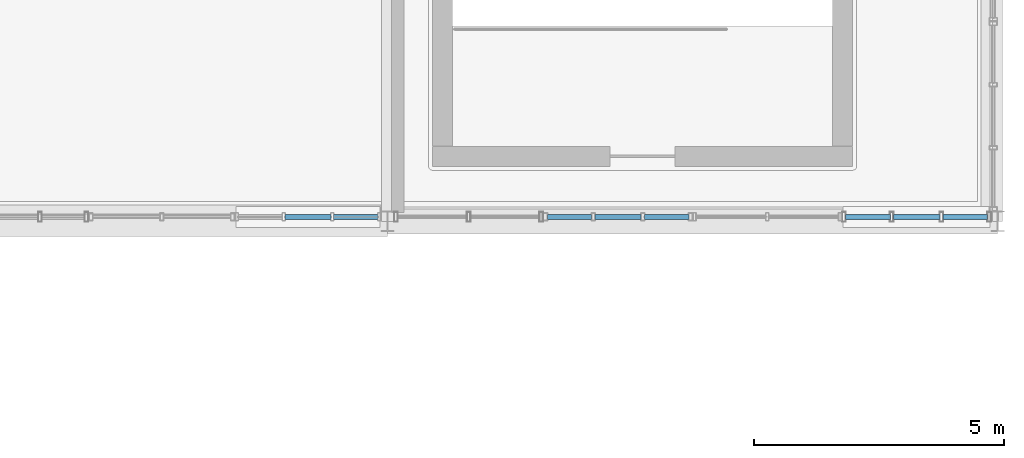
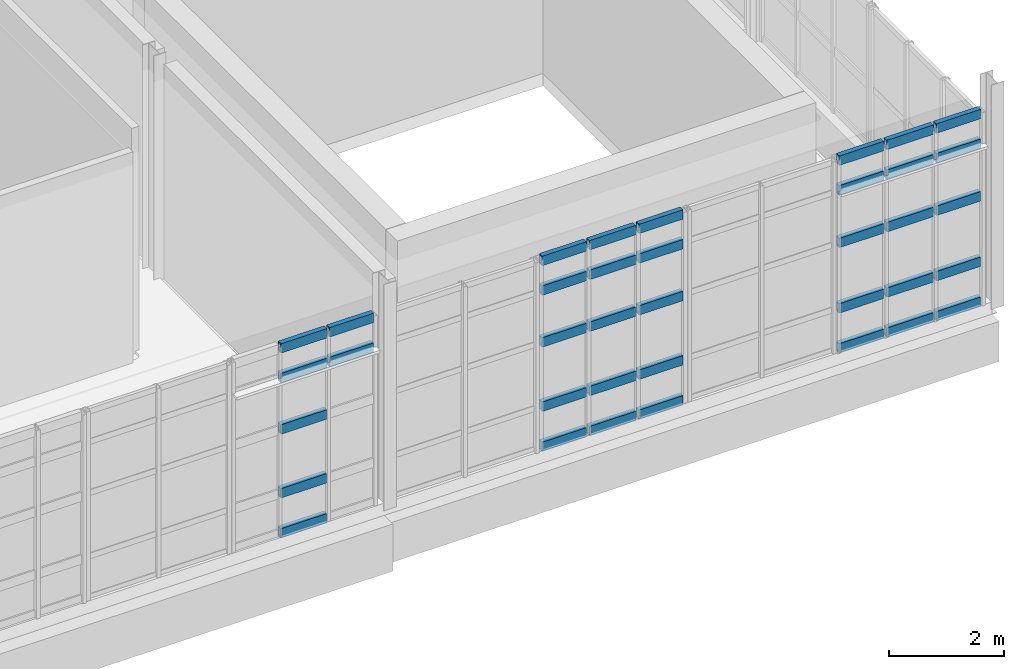
# One storey, part 64 of 102: 37 members, 3 elements without a shape of their own.
"""IFC4 building model written with IfcOpenShell, lengths in metres."""

from ifc_helpers import new_model, si_unit, derived_unit, direction, frame, origin, origin_2d, place, context, subcontext, project, spatial, hollow_rectangle, extrude, material, layer, layer_set, material_profile, profile_set, type_object, element, aggregate, save


model = new_model("IFC4")

# Units and contexts
model_context = context("Model", 3, precision=1e-05, world=origin(), true_north=direction((0.0, 1.0)))
body_context = subcontext(model_context, "Body", "Model", "MODEL_VIEW")
ifc_project = project(units=[si_unit("LENGTHUNIT", "METRE"), si_unit("AREAUNIT", "SQUARE_METRE"), si_unit("VOLUMEUNIT", "CUBIC_METRE"), si_unit("PLANEANGLEUNIT", "RADIAN"), si_unit("MASSUNIT", "GRAM", prefix="KILO"), derived_unit("THERMALTRANSMITTANCEUNIT", [(si_unit("POWERUNIT", "WATT"), 1), (si_unit("LENGTHUNIT", "METRE"), -2), (si_unit("THERMODYNAMICTEMPERATUREUNIT", "KELVIN"), -1)])], contexts=[model_context])

# Site, building, storey
site_placement = place(None, origin())
site = spatial("IfcSite", under=ifc_project, at=site_placement, CompositionType="ELEMENT")
building_placement = place(site_placement, origin())
building = spatial("IfcBuilding", under=site, at=building_placement, Name="Nallur Shell Playhouse", CompositionType="ELEMENT")
storey_placement = place(building_placement, frame((0.0, 0.0, 15.0)))
storey = spatial("IfcBuildingStorey", under=building, at=storey_placement, Name="L04", CompositionType="ELEMENT", Elevation=15.0)

# Curtain wall, members
ifc_material_1 = material(Name="Anodised Aluminium Double-Glazed Facade System", Category="aluminium")
ifc_layer_1 = layer(ifc_material_1, 0.159912109375)
ifc_layer_set_1 = layer_set([ifc_layer_1], Name="Anodised Aluminium Double-Glazed Facade System")
curtain_wall_type_1 = type_object("IfcCurtainWallType", Name="CW-UNIT-24", PredefinedType="NOTDEFINED", material=ifc_layer_set_1)
curtain_wall_1_placement = place(storey_placement, origin())
curtain_wall_1 = element("IfcCurtainWall", 1, at=curtain_wall_1_placement, inside=storey, type_object=curtain_wall_type_1, Name="Unitised curtain wall CW-120 (L04)", PredefinedType="NOTDEFINED")
ifc_material_2 = material(Name="Aluminium Alloy 6063-T6 Transom", Category="aluminium")
ifc_material_profile = material_profile(ifc_material_2, hollow_rectangle(XDim=0.10009765625, YDim=0.199951171875, WallThickness=0.008056640625, at=origin_2d()), Name="RHS 200x100x8")
ifc_profile_set = profile_set([ifc_material_profile], Name="Aluminium Alloy 6063-T6 Transom")
member_type = type_object("IfcMemberType", Name="MB-CW-TRN140", PredefinedType="USERDEFINED", material=ifc_profile_set)
member_1_placement = place(storey_placement, frame((159.60009765625, 24.090087890625, 0.050048828125), z_axis=(-1.0, 0.0, 0.0), x_axis=(0.0, -1.0, 0.0)))
member_1 = element("IfcMember", 2, at=member_1_placement, type_object=member_type, Name="CW-24 transom 1.1", ObjectType="TRANSOM", PredefinedType="USERDEFINED", context=body_context, shape_type="SweptSolid", body=[
    extrude(hollow_rectangle(XDim=0.10009765625, YDim=0.199951171875, WallThickness=0.008056640625, at=origin_2d()), origin(), (0.0, 0.0, 1.0), 0.896484375),
])
member_2_placement = place(storey_placement, frame((159.60009765625, 24.090087890625, 0.89990234375), z_axis=(-1.0, 0.0, 0.0), x_axis=(0.0, -1.0, 0.0)))
member_2 = element("IfcMember", 3, at=member_2_placement, type_object=member_type, Name="CW-24 transom 1.2", ObjectType="TRANSOM", PredefinedType="USERDEFINED", context=body_context, shape_type="SweptSolid", body=[
    extrude(hollow_rectangle(XDim=0.10009765625, YDim=0.199951171875, WallThickness=0.008056640625, at=origin_2d()), origin(), (0.0, 0.0, 1.0), 0.896484375),
])
member_3_placement = place(storey_placement, frame((159.60009765625, 24.090087890625, 2.2880859375), z_axis=(-1.0, 0.0, 0.0), x_axis=(0.0, -1.0, 0.0)))
member_3 = element("IfcMember", 4, at=member_3_placement, type_object=member_type, Name="CW-24 transom 1.3", ObjectType="TRANSOM", PredefinedType="USERDEFINED", context=body_context, shape_type="SweptSolid", body=[
    extrude(hollow_rectangle(XDim=0.10009765625, YDim=0.199951171875, WallThickness=0.008056640625, at=origin_2d()), origin(), (0.0, 0.0, 1.0), 0.896484375),
])
member_4_placement = place(storey_placement, frame((159.60009765625, 24.090087890625, 3.405029296875), z_axis=(-1.0, 0.0, 0.0), x_axis=(0.0, -1.0, 0.0)))
member_4 = element("IfcMember", 5, at=member_4_placement, type_object=member_type, Name="CW-24 transom 1.4", ObjectType="TRANSOM", PredefinedType="USERDEFINED", context=body_context, shape_type="SweptSolid", body=[
    extrude(hollow_rectangle(XDim=0.10009765625, YDim=0.199951171875, WallThickness=0.008056640625, at=origin_2d()), origin(), (0.0, 0.0, 1.0), 0.896484375),
])
member_5_placement = place(storey_placement, frame((159.60009765625, 24.090087890625, 4.034912109375), z_axis=(-1.0, 0.0, 0.0), x_axis=(0.0, -1.0, 0.0)))
member_5 = element("IfcMember", 6, at=member_5_placement, type_object=member_type, Name="CW-24 transom 1.5", ObjectType="TRANSOM", PredefinedType="USERDEFINED", context=body_context, shape_type="SweptSolid", body=[
    extrude(hollow_rectangle(XDim=0.10009765625, YDim=0.199951171875, WallThickness=0.008056640625, at=origin_2d()), origin(), (0.0, 0.0, 1.0), 0.896484375),
])
member_6_placement = place(storey_placement, frame((158.644775390625, 24.090087890625, 0.050048828125), z_axis=(-1.0, 0.0, 0.0), x_axis=(0.0, -1.0, 0.0)))
member_6 = element("IfcMember", 7, at=member_6_placement, type_object=member_type, Name="CW-24 transom 2.1", ObjectType="TRANSOM", PredefinedType="USERDEFINED", context=body_context, shape_type="SweptSolid", body=[
    extrude(hollow_rectangle(XDim=0.10009765625, YDim=0.199951171875, WallThickness=0.008056640625, at=origin_2d()), origin(), (0.0, 0.0, 1.0), 0.933837890625),
])
member_7_placement = place(storey_placement, frame((158.644775390625, 24.090087890625, 0.89990234375), z_axis=(-1.0, 0.0, 0.0), x_axis=(0.0, -1.0, 0.0)))
member_7 = element("IfcMember", 8, at=member_7_placement, type_object=member_type, Name="CW-24 transom 2.2", ObjectType="TRANSOM", PredefinedType="USERDEFINED", context=body_context, shape_type="SweptSolid", body=[
    extrude(hollow_rectangle(XDim=0.10009765625, YDim=0.199951171875, WallThickness=0.008056640625, at=origin_2d()), origin(), (0.0, 0.0, 1.0), 0.933837890625),
])
member_8_placement = place(storey_placement, frame((158.644775390625, 24.090087890625, 2.2880859375), z_axis=(-1.0, 0.0, 0.0), x_axis=(0.0, -1.0, 0.0)))
member_8 = element("IfcMember", 9, at=member_8_placement, type_object=member_type, Name="CW-24 transom 2.3", ObjectType="TRANSOM", PredefinedType="USERDEFINED", context=body_context, shape_type="SweptSolid", body=[
    extrude(hollow_rectangle(XDim=0.10009765625, YDim=0.199951171875, WallThickness=0.008056640625, at=origin_2d()), origin(), (0.0, 0.0, 1.0), 0.933837890625),
])
member_9_placement = place(storey_placement, frame((158.644775390625, 24.090087890625, 3.405029296875), z_axis=(-1.0, 0.0, 0.0), x_axis=(0.0, -1.0, 0.0)))
member_9 = element("IfcMember", 10, at=member_9_placement, type_object=member_type, Name="CW-24 transom 2.4", ObjectType="TRANSOM", PredefinedType="USERDEFINED", context=body_context, shape_type="SweptSolid", body=[
    extrude(hollow_rectangle(XDim=0.10009765625, YDim=0.199951171875, WallThickness=0.008056640625, at=origin_2d()), origin(), (0.0, 0.0, 1.0), 0.933837890625),
])
member_10_placement = place(storey_placement, frame((158.644775390625, 24.090087890625, 4.034912109375), z_axis=(-1.0, 0.0, 0.0), x_axis=(0.0, -1.0, 0.0)))
member_10 = element("IfcMember", 11, at=member_10_placement, type_object=member_type, Name="CW-24 transom 2.5", ObjectType="TRANSOM", PredefinedType="USERDEFINED", context=body_context, shape_type="SweptSolid", body=[
    extrude(hollow_rectangle(XDim=0.10009765625, YDim=0.199951171875, WallThickness=0.008056640625, at=origin_2d()), origin(), (0.0, 0.0, 1.0), 0.933837890625),
])
member_11_placement = place(storey_placement, frame((157.65185546875, 24.090087890625, 0.050048828125), z_axis=(-1.0, 0.0, 0.0), x_axis=(0.0, -1.0, 0.0)))
member_11 = element("IfcMember", 12, at=member_11_placement, type_object=member_type, Name="CW-24 transom 3.1", ObjectType="TRANSOM", PredefinedType="USERDEFINED", context=body_context, shape_type="SweptSolid", body=[
    extrude(hollow_rectangle(XDim=0.10009765625, YDim=0.199951171875, WallThickness=0.008056640625, at=origin_2d()), origin(), (0.0, 0.0, 1.0), 0.896240234375),
])
member_12_placement = place(storey_placement, frame((157.65185546875, 24.090087890625, 0.89990234375), z_axis=(-1.0, 0.0, 0.0), x_axis=(0.0, -1.0, 0.0)))
member_12 = element("IfcMember", 13, at=member_12_placement, type_object=member_type, Name="CW-24 transom 3.2", ObjectType="TRANSOM", PredefinedType="USERDEFINED", context=body_context, shape_type="SweptSolid", body=[
    extrude(hollow_rectangle(XDim=0.10009765625, YDim=0.199951171875, WallThickness=0.008056640625, at=origin_2d()), origin(), (0.0, 0.0, 1.0), 0.896240234375),
])
member_13_placement = place(storey_placement, frame((157.65185546875, 24.090087890625, 2.2880859375), z_axis=(-1.0, 0.0, 0.0), x_axis=(0.0, -1.0, 0.0)))
member_13 = element("IfcMember", 14, at=member_13_placement, type_object=member_type, Name="CW-24 transom 3.3", ObjectType="TRANSOM", PredefinedType="USERDEFINED", context=body_context, shape_type="SweptSolid", body=[
    extrude(hollow_rectangle(XDim=0.10009765625, YDim=0.199951171875, WallThickness=0.008056640625, at=origin_2d()), origin(), (0.0, 0.0, 1.0), 0.896240234375),
])
member_14_placement = place(storey_placement, frame((157.65185546875, 24.090087890625, 3.405029296875), z_axis=(-1.0, 0.0, 0.0), x_axis=(0.0, -1.0, 0.0)))
member_14 = element("IfcMember", 15, at=member_14_placement, type_object=member_type, Name="CW-24 transom 3.4", ObjectType="TRANSOM", PredefinedType="USERDEFINED", context=body_context, shape_type="SweptSolid", body=[
    extrude(hollow_rectangle(XDim=0.10009765625, YDim=0.199951171875, WallThickness=0.008056640625, at=origin_2d()), origin(), (0.0, 0.0, 1.0), 0.896240234375),
])
member_15_placement = place(storey_placement, frame((157.65185546875, 24.090087890625, 4.034912109375), z_axis=(-1.0, 0.0, 0.0), x_axis=(0.0, -1.0, 0.0)))
member_15 = element("IfcMember", 16, at=member_15_placement, type_object=member_type, Name="CW-24 transom 3.5", ObjectType="TRANSOM", PredefinedType="USERDEFINED", context=body_context, shape_type="SweptSolid", body=[
    extrude(hollow_rectangle(XDim=0.10009765625, YDim=0.199951171875, WallThickness=0.008056640625, at=origin_2d()), origin(), (0.0, 0.0, 1.0), 0.896240234375),
])
aggregate(curtain_wall_1, [member_1, member_2, member_3, member_4, member_5, member_6, member_7, member_8, member_9, member_10, member_11, member_12, member_13, member_14, member_15])

ifc_layer_2 = layer(ifc_material_1, 0.16796875)
ifc_layer_set_2 = layer_set([ifc_layer_2], Name="Anodised Aluminium Double-Glazed Facade System")
curtain_wall_type_2 = type_object("IfcCurtainWallType", Name="CW-UNIT-26", PredefinedType="NOTDEFINED", material=ifc_layer_set_2)
curtain_wall_2_placement = place(storey_placement, origin())
curtain_wall_2 = element("IfcCurtainWall", 17, at=curtain_wall_2_placement, inside=storey, type_object=curtain_wall_type_2, Name="Unitised curtain wall CW-122 (L04)", PredefinedType="NOTDEFINED")
member_16_placement = place(storey_placement, frame((153.623046875, 24.090087890625, 0.050048828125), z_axis=(-1.0, 0.0, 0.0), x_axis=(0.0, -1.0, 0.0)))
member_16 = element("IfcMember", 18, at=member_16_placement, type_object=member_type, Name="CW-26 transom 1.1", ObjectType="TRANSOM", PredefinedType="USERDEFINED", context=body_context, shape_type="SweptSolid", body=[
    extrude(hollow_rectangle(XDim=0.10009765625, YDim=0.199951171875, WallThickness=0.008056640625, at=origin_2d()), origin(), (0.0, 0.0, 1.0), 0.88720703125),
])
member_17_placement = place(storey_placement, frame((153.623046875, 24.090087890625, 0.89990234375), z_axis=(-1.0, 0.0, 0.0), x_axis=(0.0, -1.0, 0.0)))
member_17 = element("IfcMember", 19, at=member_17_placement, type_object=member_type, Name="CW-26 transom 1.2", ObjectType="TRANSOM", PredefinedType="USERDEFINED", context=body_context, shape_type="SweptSolid", body=[
    extrude(hollow_rectangle(XDim=0.10009765625, YDim=0.199951171875, WallThickness=0.008056640625, at=origin_2d()), origin(), (0.0, 0.0, 1.0), 0.88720703125),
])
member_18_placement = place(storey_placement, frame((153.623046875, 24.090087890625, 2.264892578125), z_axis=(-1.0, 0.0, 0.0), x_axis=(0.0, -1.0, 0.0)))
member_18 = element("IfcMember", 20, at=member_18_placement, type_object=member_type, Name="CW-26 transom 1.3", ObjectType="TRANSOM", PredefinedType="USERDEFINED", context=body_context, shape_type="SweptSolid", body=[
    extrude(hollow_rectangle(XDim=0.10009765625, YDim=0.199951171875, WallThickness=0.008056640625, at=origin_2d()), origin(), (0.0, 0.0, 1.0), 0.88720703125),
])
member_19_placement = place(storey_placement, frame((153.623046875, 24.090087890625, 3.364990234375), z_axis=(-1.0, 0.0, 0.0), x_axis=(0.0, -1.0, 0.0)))
member_19 = element("IfcMember", 21, at=member_19_placement, type_object=member_type, Name="CW-26 transom 1.4", ObjectType="TRANSOM", PredefinedType="USERDEFINED", context=body_context, shape_type="SweptSolid", body=[
    extrude(hollow_rectangle(XDim=0.10009765625, YDim=0.199951171875, WallThickness=0.008056640625, at=origin_2d()), origin(), (0.0, 0.0, 1.0), 0.88720703125),
])
member_20_placement = place(storey_placement, frame((153.623046875, 24.090087890625, 3.9951171875), z_axis=(-1.0, 0.0, 0.0), x_axis=(0.0, -1.0, 0.0)))
member_20 = element("IfcMember", 22, at=member_20_placement, type_object=member_type, Name="CW-26 transom 1.5", ObjectType="TRANSOM", PredefinedType="USERDEFINED", context=body_context, shape_type="SweptSolid", body=[
    extrude(hollow_rectangle(XDim=0.10009765625, YDim=0.199951171875, WallThickness=0.008056640625, at=origin_2d()), origin(), (0.0, 0.0, 1.0), 0.88720703125),
])
member_21_placement = place(storey_placement, frame((152.671875, 24.090087890625, 0.050048828125), z_axis=(-1.0, 0.0, 0.0), x_axis=(0.0, -1.0, 0.0)))
member_21 = element("IfcMember", 23, at=member_21_placement, type_object=member_type, Name="CW-26 transom 2.1", ObjectType="TRANSOM", PredefinedType="USERDEFINED", context=body_context, shape_type="SweptSolid", body=[
    extrude(hollow_rectangle(XDim=0.10009765625, YDim=0.199951171875, WallThickness=0.008056640625, at=origin_2d()), origin(), (0.0, 0.0, 1.0), 0.92724609375),
])
member_22_placement = place(storey_placement, frame((152.671875, 24.090087890625, 0.89990234375), z_axis=(-1.0, 0.0, 0.0), x_axis=(0.0, -1.0, 0.0)))
member_22 = element("IfcMember", 24, at=member_22_placement, type_object=member_type, Name="CW-26 transom 2.2", ObjectType="TRANSOM", PredefinedType="USERDEFINED", context=body_context, shape_type="SweptSolid", body=[
    extrude(hollow_rectangle(XDim=0.10009765625, YDim=0.199951171875, WallThickness=0.008056640625, at=origin_2d()), origin(), (0.0, 0.0, 1.0), 0.92724609375),
])
member_23_placement = place(storey_placement, frame((152.671875, 24.090087890625, 2.264892578125), z_axis=(-1.0, 0.0, 0.0), x_axis=(0.0, -1.0, 0.0)))
member_23 = element("IfcMember", 25, at=member_23_placement, type_object=member_type, Name="CW-26 transom 2.3", ObjectType="TRANSOM", PredefinedType="USERDEFINED", context=body_context, shape_type="SweptSolid", body=[
    extrude(hollow_rectangle(XDim=0.10009765625, YDim=0.199951171875, WallThickness=0.008056640625, at=origin_2d()), origin(), (0.0, 0.0, 1.0), 0.92724609375),
])
member_24_placement = place(storey_placement, frame((152.671875, 24.090087890625, 3.364990234375), z_axis=(-1.0, 0.0, 0.0), x_axis=(0.0, -1.0, 0.0)))
member_24 = element("IfcMember", 26, at=member_24_placement, type_object=member_type, Name="CW-26 transom 2.4", ObjectType="TRANSOM", PredefinedType="USERDEFINED", context=body_context, shape_type="SweptSolid", body=[
    extrude(hollow_rectangle(XDim=0.10009765625, YDim=0.199951171875, WallThickness=0.008056640625, at=origin_2d()), origin(), (0.0, 0.0, 1.0), 0.92724609375),
])
member_25_placement = place(storey_placement, frame((152.671875, 24.090087890625, 3.9951171875), z_axis=(-1.0, 0.0, 0.0), x_axis=(0.0, -1.0, 0.0)))
member_25 = element("IfcMember", 27, at=member_25_placement, type_object=member_type, Name="CW-26 transom 2.5", ObjectType="TRANSOM", PredefinedType="USERDEFINED", context=body_context, shape_type="SweptSolid", body=[
    extrude(hollow_rectangle(XDim=0.10009765625, YDim=0.199951171875, WallThickness=0.008056640625, at=origin_2d()), origin(), (0.0, 0.0, 1.0), 0.92724609375),
])
member_26_placement = place(storey_placement, frame((151.6806640625, 24.090087890625, 0.050048828125), z_axis=(-1.0, 0.0, 0.0), x_axis=(0.0, -1.0, 0.0)))
member_26 = element("IfcMember", 28, at=member_26_placement, type_object=member_type, Name="CW-26 transom 3.1", ObjectType="TRANSOM", PredefinedType="USERDEFINED", context=body_context, shape_type="SweptSolid", body=[
    extrude(hollow_rectangle(XDim=0.10009765625, YDim=0.199951171875, WallThickness=0.008056640625, at=origin_2d()), origin(), (0.0, 0.0, 1.0), 0.88720703125),
])
member_27_placement = place(storey_placement, frame((151.6806640625, 24.090087890625, 0.89990234375), z_axis=(-1.0, 0.0, 0.0), x_axis=(0.0, -1.0, 0.0)))
member_27 = element("IfcMember", 29, at=member_27_placement, type_object=member_type, Name="CW-26 transom 3.2", ObjectType="TRANSOM", PredefinedType="USERDEFINED", context=body_context, shape_type="SweptSolid", body=[
    extrude(hollow_rectangle(XDim=0.10009765625, YDim=0.199951171875, WallThickness=0.008056640625, at=origin_2d()), origin(), (0.0, 0.0, 1.0), 0.88720703125),
])
member_28_placement = place(storey_placement, frame((151.6806640625, 24.090087890625, 2.264892578125), z_axis=(-1.0, 0.0, 0.0), x_axis=(0.0, -1.0, 0.0)))
member_28 = element("IfcMember", 30, at=member_28_placement, type_object=member_type, Name="CW-26 transom 3.3", ObjectType="TRANSOM", PredefinedType="USERDEFINED", context=body_context, shape_type="SweptSolid", body=[
    extrude(hollow_rectangle(XDim=0.10009765625, YDim=0.199951171875, WallThickness=0.008056640625, at=origin_2d()), origin(), (0.0, 0.0, 1.0), 0.88720703125),
])
member_29_placement = place(storey_placement, frame((151.6806640625, 24.090087890625, 3.364990234375), z_axis=(-1.0, 0.0, 0.0), x_axis=(0.0, -1.0, 0.0)))
member_29 = element("IfcMember", 31, at=member_29_placement, type_object=member_type, Name="CW-26 transom 3.4", ObjectType="TRANSOM", PredefinedType="USERDEFINED", context=body_context, shape_type="SweptSolid", body=[
    extrude(hollow_rectangle(XDim=0.10009765625, YDim=0.199951171875, WallThickness=0.008056640625, at=origin_2d()), origin(), (0.0, 0.0, 1.0), 0.88720703125),
])
member_30_placement = place(storey_placement, frame((151.6806640625, 24.090087890625, 3.9951171875), z_axis=(-1.0, 0.0, 0.0), x_axis=(0.0, -1.0, 0.0)))
member_30 = element("IfcMember", 32, at=member_30_placement, type_object=member_type, Name="CW-26 transom 3.5", ObjectType="TRANSOM", PredefinedType="USERDEFINED", context=body_context, shape_type="SweptSolid", body=[
    extrude(hollow_rectangle(XDim=0.10009765625, YDim=0.199951171875, WallThickness=0.008056640625, at=origin_2d()), origin(), (0.0, 0.0, 1.0), 0.88720703125),
])
aggregate(curtain_wall_2, [member_16, member_17, member_18, member_19, member_20, member_21, member_22, member_23, member_24, member_25, member_26, member_27, member_28, member_29, member_30])

ifc_layer_3 = layer(ifc_material_1, 0.176025390625)
ifc_layer_set_3 = layer_set([ifc_layer_3], Name="Anodised Aluminium Double-Glazed Facade System")
curtain_wall_type_3 = type_object("IfcCurtainWallType", Name="CW-UNIT-28", PredefinedType="NOTDEFINED", material=ifc_layer_set_3)
curtain_wall_3_placement = place(storey_placement, origin())
curtain_wall_3 = element("IfcCurtainWall", 33, at=curtain_wall_3_placement, inside=storey, type_object=curtain_wall_type_3, Name="Unitised curtain wall CW-124 (L04)", PredefinedType="NOTDEFINED")
member_31_placement = place(storey_placement, frame((147.409912109375, 24.090087890625, 3.344970703125), z_axis=(-1.0, 0.0, 0.0), x_axis=(0.0, -1.0, 0.0)))
member_31 = element("IfcMember", 34, at=member_31_placement, type_object=member_type, Name="CW-28 transom 1.4", ObjectType="TRANSOM", PredefinedType="USERDEFINED", context=body_context, shape_type="SweptSolid", body=[
    extrude(hollow_rectangle(XDim=0.10009765625, YDim=0.199951171875, WallThickness=0.008056640625, at=origin_2d()), origin(), (0.0, 0.0, 1.0), 0.890380859375),
])
member_32_placement = place(storey_placement, frame((147.409912109375, 24.090087890625, 3.97509765625), z_axis=(-1.0, 0.0, 0.0), x_axis=(0.0, -1.0, 0.0)))
member_32 = element("IfcMember", 35, at=member_32_placement, type_object=member_type, Name="CW-28 transom 1.5", ObjectType="TRANSOM", PredefinedType="USERDEFINED", context=body_context, shape_type="SweptSolid", body=[
    extrude(hollow_rectangle(XDim=0.10009765625, YDim=0.199951171875, WallThickness=0.008056640625, at=origin_2d()), origin(), (0.0, 0.0, 1.0), 0.890380859375),
])
member_33_placement = place(storey_placement, frame((146.470458984375, 24.090087890625, 0.050048828125), z_axis=(-1.0, 0.0, 0.0), x_axis=(0.0, -1.0, 0.0)))
member_33 = element("IfcMember", 36, at=member_33_placement, type_object=member_type, Name="CW-28 transom 2.1", ObjectType="TRANSOM", PredefinedType="USERDEFINED", context=body_context, shape_type="SweptSolid", body=[
    extrude(hollow_rectangle(XDim=0.10009765625, YDim=0.199951171875, WallThickness=0.008056640625, at=origin_2d()), origin(), (0.0, 0.0, 1.0), 0.9228515625),
])
member_34_placement = place(storey_placement, frame((146.470458984375, 24.090087890625, 0.89990234375), z_axis=(-1.0, 0.0, 0.0), x_axis=(0.0, -1.0, 0.0)))
member_34 = element("IfcMember", 37, at=member_34_placement, type_object=member_type, Name="CW-28 transom 2.2", ObjectType="TRANSOM", PredefinedType="USERDEFINED", context=body_context, shape_type="SweptSolid", body=[
    extrude(hollow_rectangle(XDim=0.10009765625, YDim=0.199951171875, WallThickness=0.008056640625, at=origin_2d()), origin(), (0.0, 0.0, 1.0), 0.9228515625),
])
member_35_placement = place(storey_placement, frame((146.470458984375, 24.090087890625, 2.25390625), z_axis=(-1.0, 0.0, 0.0), x_axis=(0.0, -1.0, 0.0)))
member_35 = element("IfcMember", 38, at=member_35_placement, type_object=member_type, Name="CW-28 transom 2.3", ObjectType="TRANSOM", PredefinedType="USERDEFINED", context=body_context, shape_type="SweptSolid", body=[
    extrude(hollow_rectangle(XDim=0.10009765625, YDim=0.199951171875, WallThickness=0.008056640625, at=origin_2d()), origin(), (0.0, 0.0, 1.0), 0.9228515625),
])
member_36_placement = place(storey_placement, frame((146.470458984375, 24.090087890625, 3.344970703125), z_axis=(-1.0, 0.0, 0.0), x_axis=(0.0, -1.0, 0.0)))
member_36 = element("IfcMember", 39, at=member_36_placement, type_object=member_type, Name="CW-28 transom 2.4", ObjectType="TRANSOM", PredefinedType="USERDEFINED", context=body_context, shape_type="SweptSolid", body=[
    extrude(hollow_rectangle(XDim=0.10009765625, YDim=0.199951171875, WallThickness=0.008056640625, at=origin_2d()), origin(), (0.0, 0.0, 1.0), 0.9228515625),
])
member_37_placement = place(storey_placement, frame((146.470458984375, 24.090087890625, 3.97509765625), z_axis=(-1.0, 0.0, 0.0), x_axis=(0.0, -1.0, 0.0)))
member_37 = element("IfcMember", 40, at=member_37_placement, type_object=member_type, Name="CW-28 transom 2.5", ObjectType="TRANSOM", PredefinedType="USERDEFINED", context=body_context, shape_type="SweptSolid", body=[
    extrude(hollow_rectangle(XDim=0.10009765625, YDim=0.199951171875, WallThickness=0.008056640625, at=origin_2d()), origin(), (0.0, 0.0, 1.0), 0.9228515625),
])
aggregate(curtain_wall_3, [member_31, member_32, member_33, member_34, member_35, member_36, member_37])

save(model, "model.ifc")
